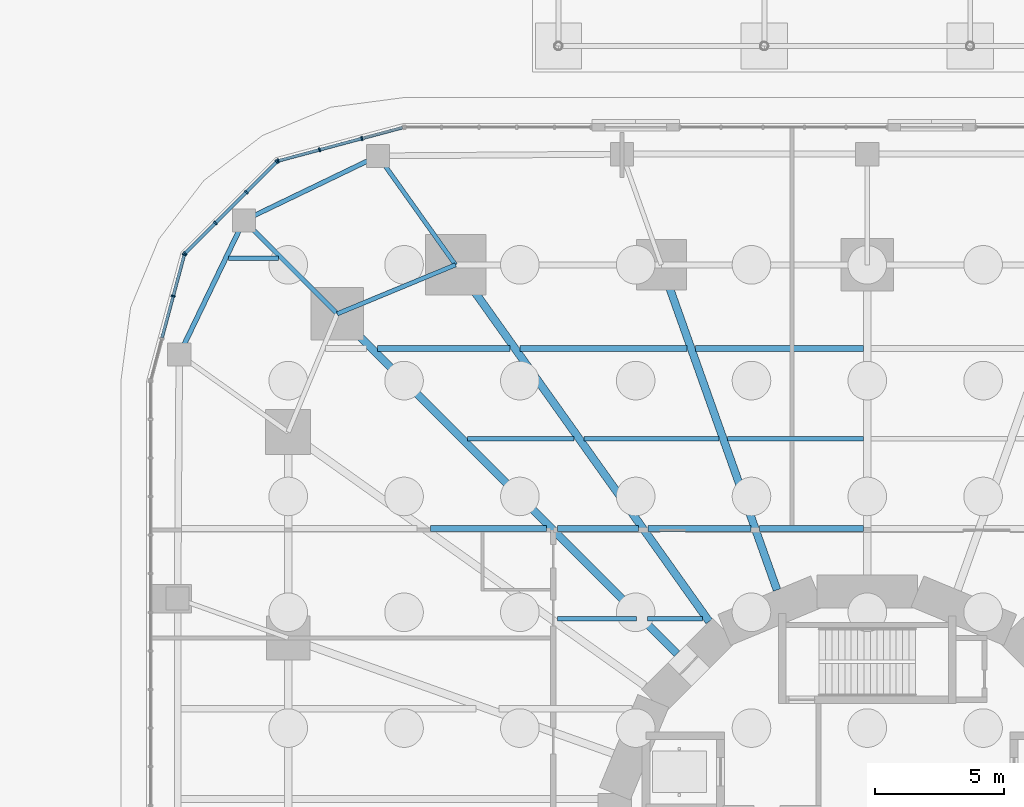
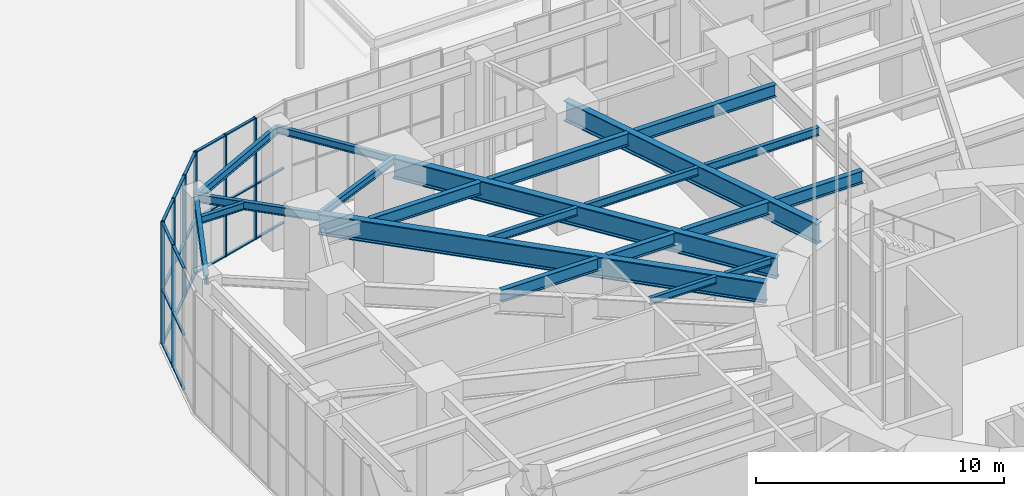
# One storey, part 13 of 43: 32 members, 21 beams, 3 elements without a shape of their own.
"""IFC4 building model written with IfcOpenShell, lengths in metres."""

import ifcopenshell
import ifcopenshell.guid

model = None  # the IFC model being written
_history = None  # IfcOwnerHistory: only IFC2X3 demands one
_inside = {}  # id of a spatial element -> (the spatial element, [elements in it])
_under = {}  # id of a project, library or spatial element -> (it, [spatial elements below it])
_declared = {}  # id of a project -> (the project, [libraries it declares])
_typed = {}  # id of a type object -> (the type object, [elements of that type])
_made_of = {}  # id of a material, layer set ... -> (it, [elements and type objects made of it])


def new_model(schema):
    """Start an empty IFC model of exactly this schema.

    Asked for "IFC4X3", IfcOpenShell would pick the latest addendum, in which some entities
    have other attributes; the version numbers below select the first issue.
    IFC2X3 requires an IfcOwnerHistory on every rooted entity: one is made here for all.
    """
    global model, _history
    if schema == "IFC4X3":
        model = ifcopenshell.file(schema_version=(4, 3, 0, 0))
    else:
        model = ifcopenshell.file(schema=schema)
    _inside.clear()
    _under.clear()
    _declared.clear()
    _typed.clear()
    _made_of.clear()
    _history = None
    if model.schema == "IFC2X3":
        org = make("IfcOrganization", Name="unknown")
        user = make(
            "IfcPersonAndOrganization",
            ThePerson=make("IfcPerson", FamilyName="unknown"),
            TheOrganization=org,
        )
        app = make(
            "IfcApplication",
            ApplicationDeveloper=org,
            Version="unknown",
            ApplicationFullName="unknown",
            ApplicationIdentifier="unknown",
        )
        _history = make(
            "IfcOwnerHistory",
            OwningUser=user,
            OwningApplication=app,
            ChangeAction="ADDED",
            CreationDate=0,
        )
    return model


def make(cls, **values):
    """One entity of the class cls with the attributes given. An attribute that is None is left unset."""
    return model.create_entity(
        cls, **{name: value for name, value in values.items() if value is not None}
    )


def rooted(cls, **values):
    """An entity with a GlobalId (a new one), such as an element, a storey or a relation."""
    return make(cls, GlobalId=ifcopenshell.guid.new(), OwnerHistory=_history, **values)


def si_unit(unit_type, name, prefix=None):
    """IfcSIUnit, for example si_unit("LENGTHUNIT", "METRE", prefix="MILLI")."""
    return make("IfcSIUnit", UnitType=unit_type, Prefix=prefix, Name=name)


def assignment(units):
    """IfcUnitAssignment: the units of a project."""
    return None if units is None else make("IfcUnitAssignment", Units=units)


def point(xyz):
    """IfcCartesianPoint."""
    return None if xyz is None else make("IfcCartesianPoint", Coordinates=xyz)


def direction(xyz):
    """IfcDirection."""
    return None if xyz is None else make("IfcDirection", DirectionRatios=xyz)


def frame(location, z_axis=None, x_axis=None):
    """IfcAxis2Placement3D, a coordinate frame: its origin and axes. An axis left out is left unset."""
    return make(
        "IfcAxis2Placement3D",
        Location=point(location),
        Axis=direction(z_axis),
        RefDirection=direction(x_axis),
    )


def frame_2d(location, x_axis=None):
    """IfcAxis2Placement2D, a coordinate frame in the plane: its origin and x axis."""
    return make(
        "IfcAxis2Placement2D", Location=point(location), RefDirection=direction(x_axis)
    )


def origin():
    """The frame at (0, 0, 0) with its axes left unset."""
    return frame((0.0, 0.0, 0.0))


def origin_2d():
    """The frame at (0, 0) in the plane with its x axis left unset."""
    return frame_2d((0.0, 0.0))


def place(relative_to, where):
    """IfcLocalPlacement: puts the frame where relative to a parent placement (None: the world)."""
    return make(
        "IfcLocalPlacement", PlacementRelTo=relative_to, RelativePlacement=where
    )


def context(
    kind, dimensions, precision=None, world=None, true_north=None, identifier=None
):
    """IfcGeometricRepresentationContext, for example the 3D "Model" context."""
    return make(
        "IfcGeometricRepresentationContext",
        ContextIdentifier=identifier,
        ContextType=kind,
        CoordinateSpaceDimension=dimensions,
        Precision=precision,
        WorldCoordinateSystem=world,
        TrueNorth=true_north,
    )


def subcontext(parent, identifier, kind, view, scale=None):
    """IfcGeometricRepresentationSubContext, for example "Body" below "Model"."""
    return make(
        "IfcGeometricRepresentationSubContext",
        ContextIdentifier=identifier,
        ContextType=kind,
        ParentContext=parent,
        TargetScale=scale,
        TargetView=view,
    )


def project(units=None, contexts=None):
    """IfcProject with its units and contexts."""
    return rooted(
        "IfcProject",
        Name="project",
        RepresentationContexts=contexts,
        UnitsInContext=assignment(units),
    )


def spatial(cls, under=None, at=None, **own):
    """A site, building, storey or space (cls), placed at a placement, below another one or the project."""
    s = rooted(cls, ObjectPlacement=at, **own)
    if under is not None:
        _under.setdefault(under.id(), (under, []))[1].append(s)
    return s


def profile(cls, at=None, kind="AREA", **sizes):
    """A parametric profile (cls). Its sizes go by their IFC names, for example OverallWidth=200.0."""
    return make(cls, ProfileType=kind, Position=at, **sizes)


def rectangle(**sizes):
    """IfcRectangleProfileDef."""
    return profile("IfcRectangleProfileDef", **sizes)


def i_section(**sizes):
    """IfcIShapeProfileDef."""
    return profile("IfcIShapeProfileDef", **sizes)


def extrude(swept, where, along, depth):
    """IfcExtrudedAreaSolid: the profile swept, set in the frame where, extruded along a direction by depth."""
    return make(
        "IfcExtrudedAreaSolid",
        SweptArea=swept,
        Position=where,
        ExtrudedDirection=direction(along),
        Depth=depth,
    )


def shape(context_of_items, identifier, shape_type, items):
    """IfcShapeRepresentation: the items that make up one representation, for example the "Body"."""
    return make(
        "IfcShapeRepresentation",
        ContextOfItems=context_of_items,
        RepresentationIdentifier=identifier,
        RepresentationType=shape_type,
        Items=items,
    )


def material(Name=None, Category=None):
    """IfcMaterial."""
    return make("IfcMaterial", Name=Name, Category=Category)


def material_profile(
    of_material, cross_section, Name=None, Category=None, Priority=None
):
    """IfcMaterialProfile: a cross section and its material."""
    return make(
        "IfcMaterialProfile",
        Name=Name,
        Material=of_material,
        Profile=cross_section,
        Priority=Priority,
        Category=Category,
    )


def profile_set(profiles, Name=None, composite=None):
    """IfcMaterialProfileSet."""
    return make(
        "IfcMaterialProfileSet",
        Name=Name,
        MaterialProfiles=profiles,
        CompositeProfile=composite,
    )


def made_of(thing, what):
    """Note that an element or type object is made of a material, layer set ...; save() writes the relation."""
    if what is not None:
        _made_of.setdefault(what.id(), (what, []))[1].append(thing)
    return thing


def type_object(cls, material=None, **own):
    """A type object (cls), such as IfcWallType, which elements share."""
    return made_of(rooted(cls, **own), material)


def element(
    cls,
    number,
    at=None,
    inside=None,
    cuts=None,
    type_object=None,
    material=None,
    context=None,
    identifier="Body",
    shape_type=None,
    held_by="IfcProductDefinitionShape",
    body=None,
    shapes=None,
    **own,
):
    """One element of the class cls, such as IfcWall. Its Tag is "e" and its number.

    at: its placement. inside: the storey or other place that contains it. cuts: it is an
    opening in that element (IfcRelVoidsElement). A single representation is given by context,
    identifier, shape_type and body (its items); several are given by shapes. held_by: the class
    of the entity that holds the representations. save() writes the other relations.
    """
    e = rooted(cls, Tag="e%d" % number, ObjectPlacement=at, **own)
    if body is not None:
        shapes = [shape(context, identifier, shape_type, body)]
    if shapes is not None:
        e.Representation = make(held_by, Representations=shapes)
    if inside is not None:
        _inside.setdefault(inside.id(), (inside, []))[1].append(e)
    if cuts is not None:
        rooted(
            "IfcRelVoidsElement", RelatingBuildingElement=cuts, RelatedOpeningElement=e
        )
    if type_object is not None:
        _typed.setdefault(type_object.id(), (type_object, []))[1].append(e)
    return made_of(e, material)


def aggregate(whole, parts):
    """IfcRelAggregates: a whole, such as a stair, and the parts it consists of."""
    return rooted("IfcRelAggregates", RelatingObject=whole, RelatedObjects=parts)


def save(model, path):
    """Write the relations noted so far, then the file.

    IfcRelAggregates (storeys below a building ...), IfcRelContainedInSpatialStructure (elements
    in a storey), IfcRelDefinesByType, IfcRelAssociatesMaterial and IfcRelDeclares: one each for
    every whole, place, type object, material and project.
    """
    for whole, parts in _under.values():
        aggregate(whole, parts)
    for where, things in _inside.values():
        rooted(
            "IfcRelContainedInSpatialStructure",
            RelatedElements=things,
            RelatingStructure=where,
        )
    for kind, things in _typed.values():
        rooted("IfcRelDefinesByType", RelatedObjects=things, RelatingType=kind)
    for what, things in _made_of.values():
        rooted("IfcRelAssociatesMaterial", RelatedObjects=things, RelatingMaterial=what)
    for by, libraries in _declared.values():
        rooted("IfcRelDeclares", RelatingContext=by, RelatedDefinitions=libraries)
    model.write(path)


model = new_model("IFC4")

# Units and contexts
model_context = context("Model", 3, precision=1e-05, world=origin(), true_north=direction((0.0, 1.0)))
body_context = subcontext(model_context, "Body", "Model", "MODEL_VIEW")
ifc_project = project(units=[si_unit("LENGTHUNIT", "METRE"), si_unit("AREAUNIT", "SQUARE_METRE"), si_unit("VOLUMEUNIT", "CUBIC_METRE"), si_unit("PLANEANGLEUNIT", "RADIAN"), si_unit("MASSUNIT", "GRAM", prefix="KILO")], contexts=[model_context])

# Site, building, storey
site_placement = place(None, origin())
site = spatial("IfcSite", under=ifc_project, at=site_placement, CompositionType="ELEMENT")
building_placement = place(site_placement, origin())
building = spatial("IfcBuilding", under=site, at=building_placement, Name="Nakasero Lantern House", CompositionType="ELEMENT")
storey_placement = place(building_placement, origin())
storey = spatial("IfcBuildingStorey", under=building, at=storey_placement, Name="L00", CompositionType="ELEMENT", Elevation=0.0)

# Beams
ifc_material_1 = material(Name="Steel S355", Category="steel")
ifc_material_profile_1 = material_profile(ifc_material_1, i_section(OverallWidth=0.17138671875, OverallDepth=0.35498046875, WebThickness=0.00732421875, FlangeThickness=0.011474609375, FilletRadius=0.01025390625, at=origin_2d()), Name="UB 356x171x51")
ifc_profile_set_1 = profile_set([ifc_material_profile_1], Name="Steel S355")
beam_type_1 = type_object("IfcBeamType", Name="Infill beam UB 356x171x51", PredefinedType="JOIST", material=ifc_profile_set_1)
beam_1_placement = place(storey_placement, frame((-12.043212890625, 8.75, 5.62255859375), z_axis=(1.0, 0.0, 0.0), x_axis=(0.0, 1.0, 0.0)))
element("IfcBeam", 1, at=beam_1_placement, inside=storey, type_object=beam_type_1, Name="Infill beam L01 11.1", PredefinedType="JOIST", context=body_context, shape_type="SweptSolid", body=[
    extrude(i_section(OverallWidth=0.17138671875, OverallDepth=0.35498046875, WebThickness=0.00732421875, FlangeThickness=0.011474609375, FilletRadius=0.01025390625, at=origin_2d()), origin(), (0.0, 0.0, 1.0), 3.0771484375),
])
beam_2_placement = place(storey_placement, frame((-8.533935546875, 8.75, 5.62255859375), z_axis=(1.0, 0.0, 0.0), x_axis=(0.0, 1.0, 0.0)))
element("IfcBeam", 2, at=beam_2_placement, inside=storey, type_object=beam_type_1, Name="Infill beam L01 11.2", PredefinedType="JOIST", context=body_context, shape_type="SweptSolid", body=[
    extrude(i_section(OverallWidth=0.17138671875, OverallDepth=0.35498046875, WebThickness=0.00732421875, FlangeThickness=0.011474609375, FilletRadius=0.01025390625, at=origin_2d()), origin(), (0.0, 0.0, 1.0), 2.124267578125),
])
beam_3_placement = place(storey_placement, frame((-24.82666015625, 22.75, 5.62255859375), z_axis=(1.0, 0.0, 0.0), x_axis=(0.0, 1.0, 0.0)))
element("IfcBeam", 3, at=beam_3_placement, inside=storey, type_object=beam_type_1, Name="Infill beam L01 15.1", PredefinedType="JOIST", context=body_context, shape_type="SweptSolid", body=[
    extrude(i_section(OverallWidth=0.17138671875, OverallDepth=0.35498046875, WebThickness=0.00732421875, FlangeThickness=0.011474609375, FilletRadius=0.01025390625, at=origin_2d()), origin(), (0.0, 0.0, 1.0), 1.950927734375),
])
ifc_material_2 = material(Name="Steel S355", Category="steel")
ifc_material_profile_2 = material_profile(ifc_material_2, i_section(OverallWidth=0.177978515625, OverallDepth=0.406494140625, WebThickness=0.0078125, FlangeThickness=0.0126953125, FilletRadius=0.01025390625, at=origin_2d()), Name="UB 406x178x60")
ifc_profile_set_2 = profile_set([ifc_material_profile_2], Name="Steel S355")
beam_type_2 = type_object("IfcBeamType", Name="Infill beam UB 406x178x60", PredefinedType="JOIST", material=ifc_profile_set_2)
beam_4_placement = place(storey_placement, frame((-15.533935546875, 15.75, 5.5966796875), z_axis=(1.0, 0.0, 0.0), x_axis=(0.0, 1.0, 0.0)))
element("IfcBeam", 4, at=beam_4_placement, inside=storey, type_object=beam_type_2, Name="Infill beam L01 13.1", PredefinedType="JOIST", context=body_context, shape_type="SweptSolid", body=[
    extrude(i_section(OverallWidth=0.177978515625, OverallDepth=0.406494140625, WebThickness=0.0078125, FlangeThickness=0.0126953125, FilletRadius=0.01025390625, at=origin_2d()), origin(), (0.0, 0.0, 1.0), 4.146484375),
])
beam_5_placement = place(storey_placement, frame((-11.0126953125, 15.75, 5.5966796875), z_axis=(1.0, 0.0, 0.0), x_axis=(0.0, 1.0, 0.0)))
element("IfcBeam", 5, at=beam_5_placement, inside=storey, type_object=beam_type_2, Name="Infill beam L01 13.2", PredefinedType="JOIST", context=body_context, shape_type="SweptSolid", body=[
    extrude(i_section(OverallWidth=0.177978515625, OverallDepth=0.406494140625, WebThickness=0.0078125, FlangeThickness=0.0126953125, FilletRadius=0.01025390625, at=origin_2d()), origin(), (0.0, 0.0, 1.0), 5.25244140625),
])
beam_6_placement = place(storey_placement, frame((-5.439697265625, 15.75, 5.5966796875), z_axis=(1.0, 0.0, 0.0), x_axis=(0.0, 1.0, 0.0)))
element("IfcBeam", 6, at=beam_6_placement, inside=storey, type_object=beam_type_2, Name="Infill beam L01 13.3", PredefinedType="JOIST", context=body_context, shape_type="SweptSolid", body=[
    extrude(i_section(OverallWidth=0.177978515625, OverallDepth=0.406494140625, WebThickness=0.0078125, FlangeThickness=0.0126953125, FilletRadius=0.01025390625, at=origin_2d()), origin(), (0.0, 0.0, 1.0), 5.289794921875),
])
ifc_material_3 = material(Name="Steel S355", Category="steel")
ifc_material_profile_3 = material_profile(ifc_material_3, i_section(OverallWidth=0.22900390625, OverallDepth=0.6123046875, WebThickness=0.011962890625, FlangeThickness=0.01953125, FilletRadius=0.0126953125, at=origin_2d()), Name="UB 610x229x125")
ifc_profile_set_3 = profile_set([ifc_material_profile_3], Name="Steel S355")
beam_type_3 = type_object("IfcBeamType", Name="Infill beam UB 610x229x125", PredefinedType="JOIST", material=ifc_profile_set_3)
beam_7_placement = place(storey_placement, frame((-16.965087890625, 12.25, 5.493896484375), z_axis=(1.0, 0.0, 0.0), x_axis=(0.0, 1.0, 0.0)))
element("IfcBeam", 7, at=beam_7_placement, inside=storey, type_object=beam_type_3, Name="Infill beam L01 12.3", PredefinedType="JOIST", context=body_context, shape_type="SweptSolid", body=[
    extrude(i_section(OverallWidth=0.22900390625, OverallDepth=0.6123046875, WebThickness=0.011962890625, FlangeThickness=0.01953125, FilletRadius=0.0126953125, at=origin_2d()), origin(), (0.0, 0.0, 1.0), 4.4990234375),
])
beam_8_placement = place(storey_placement, frame((-12.033935546875, 12.25, 5.493896484375), z_axis=(1.0, 0.0, 0.0), x_axis=(0.0, 1.0, 0.0)))
element("IfcBeam", 8, at=beam_8_placement, inside=storey, type_object=beam_type_3, Name="Infill beam L01 12.4", PredefinedType="JOIST", context=body_context, shape_type="SweptSolid", body=[
    extrude(i_section(OverallWidth=0.22900390625, OverallDepth=0.6123046875, WebThickness=0.011962890625, FlangeThickness=0.01953125, FilletRadius=0.0126953125, at=origin_2d()), origin(), (0.0, 0.0, 1.0), 3.135498046875),
])
beam_9_placement = place(storey_placement, frame((-8.523681640625, 12.25, 5.493896484375), z_axis=(1.0, 0.0, 0.0), x_axis=(0.0, 1.0, 0.0)))
element("IfcBeam", 9, at=beam_9_placement, inside=storey, type_object=beam_type_3, Name="Infill beam L01 12.5", PredefinedType="JOIST", context=body_context, shape_type="SweptSolid", body=[
    extrude(i_section(OverallWidth=0.22900390625, OverallDepth=0.6123046875, WebThickness=0.011962890625, FlangeThickness=0.01953125, FilletRadius=0.0126953125, at=origin_2d()), origin(), (0.0, 0.0, 1.0), 4.0078125),
])
beam_10_placement = place(storey_placement, frame((-4.1953125, 12.25, 5.493896484375), z_axis=(1.0, 0.0, 0.0), x_axis=(0.0, 1.0, 0.0)))
element("IfcBeam", 10, at=beam_10_placement, inside=storey, type_object=beam_type_3, Name="Infill beam L01 12.6", PredefinedType="JOIST", context=body_context, shape_type="SweptSolid", body=[
    extrude(i_section(OverallWidth=0.22900390625, OverallDepth=0.6123046875, WebThickness=0.011962890625, FlangeThickness=0.01953125, FilletRadius=0.0126953125, at=origin_2d()), origin(), (0.0, 0.0, 1.0), 4.04541015625),
])
beam_11_placement = place(storey_placement, frame((-19.033935546875, 19.25, 5.493896484375), z_axis=(1.0, 0.0, 0.0), x_axis=(0.0, 1.0, 0.0)))
element("IfcBeam", 11, at=beam_11_placement, inside=storey, type_object=beam_type_3, Name="Infill beam L01 14.2", PredefinedType="JOIST", context=body_context, shape_type="SweptSolid", body=[
    extrude(i_section(OverallWidth=0.22900390625, OverallDepth=0.6123046875, WebThickness=0.011962890625, FlangeThickness=0.01953125, FilletRadius=0.0126953125, at=origin_2d()), origin(), (0.0, 0.0, 1.0), 5.15771484375),
])
beam_12_placement = place(storey_placement, frame((-13.50146484375, 19.25, 5.493896484375), z_axis=(1.0, 0.0, 0.0), x_axis=(0.0, 1.0, 0.0)))
element("IfcBeam", 12, at=beam_12_placement, inside=storey, type_object=beam_type_3, Name="Infill beam L01 14.3", PredefinedType="JOIST", context=body_context, shape_type="SweptSolid", body=[
    extrude(i_section(OverallWidth=0.22900390625, OverallDepth=0.6123046875, WebThickness=0.011962890625, FlangeThickness=0.01953125, FilletRadius=0.0126953125, at=origin_2d()), origin(), (0.0, 0.0, 1.0), 6.496826171875),
])
beam_13_placement = place(storey_placement, frame((-6.68408203125, 19.25, 5.493896484375), z_axis=(1.0, 0.0, 0.0), x_axis=(0.0, 1.0, 0.0)))
element("IfcBeam", 13, at=beam_13_placement, inside=storey, type_object=beam_type_3, Name="Infill beam L01 14.4", PredefinedType="JOIST", context=body_context, shape_type="SweptSolid", body=[
    extrude(i_section(OverallWidth=0.22900390625, OverallDepth=0.6123046875, WebThickness=0.011962890625, FlangeThickness=0.01953125, FilletRadius=0.0126953125, at=origin_2d()), origin(), (0.0, 0.0, 1.0), 6.5341796875),
])

# Curtain wall, members
ifc_material_4 = material(Name="Aluminium 6063-T6 and glass", Category="aluminium")
curtain_wall_type = type_object("IfcCurtainWallType", Name="Podium shopfront glazing CW-1", PredefinedType="USERDEFINED", material=ifc_material_4)
curtain_wall_1_placement = place(storey_placement, origin())
curtain_wall_1 = element("IfcCurtainWall", 14, at=curtain_wall_1_placement, inside=storey, type_object=curtain_wall_type, Name="Curtain wall CW-1 L00", ObjectType="STICK CURTAIN WALL", PredefinedType="USERDEFINED")
ifc_material_5 = material(Name="Aluminium 6063-T6", Category="aluminium")
ifc_material_profile_4 = material_profile(ifc_material_5, rectangle(XDim=0.06005859375, YDim=0.159912109375, at=origin_2d()), Name="CW-1 mullion 60x160")
ifc_profile_set_4 = profile_set([ifc_material_profile_4], Name="Aluminium 6063-T6")
member_type_1 = type_object("IfcMemberType", Name="Mullion CW-1", PredefinedType="MULLION", material=ifc_profile_set_4)
member_1_placement = place(storey_placement, frame((-19.6416015625, 27.41015625, 0.0), z_axis=(0.0, 0.0, 1.0), x_axis=(-0.965925826289, -0.258819045103, 0.0)))
member_1 = element("IfcMember", 15, at=member_1_placement, type_object=member_type_1, Name="CW-1 mullion 2", PredefinedType="MULLION", context=body_context, shape_type="SweptSolid", body=[
    extrude(rectangle(XDim=0.06005859375, YDim=0.159912109375, at=origin_2d()), origin(), (0.0, 0.0, 1.0), 6.0),
])
member_2_placement = place(storey_placement, frame((-21.283447265625, 26.97021484375, 0.0), z_axis=(0.0, 0.0, 1.0), x_axis=(-0.965925826289, -0.258819045103, 0.0)))
member_2 = element("IfcMember", 16, at=member_2_placement, type_object=member_type_1, Name="CW-1 mullion 3", PredefinedType="MULLION", context=body_context, shape_type="SweptSolid", body=[
    extrude(rectangle(XDim=0.06005859375, YDim=0.159912109375, at=origin_2d()), origin(), (0.0, 0.0, 1.0), 6.0),
])
member_3_placement = place(storey_placement, frame((-22.89599609375, 26.5380859375, 0.0), z_axis=(0.0, 0.0, 1.0), x_axis=(-0.965925826289, -0.258819045103, 0.0)))
member_3 = element("IfcMember", 17, at=member_3_placement, type_object=member_type_1, Name="CW-1 mullion 4", PredefinedType="MULLION", context=body_context, shape_type="SweptSolid", body=[
    extrude(rectangle(XDim=0.06005859375, YDim=0.159912109375, at=origin_2d()), origin(), (0.0, 0.0, 1.0), 6.0),
])

curtain_wall_2_placement = place(storey_placement, origin())
curtain_wall_2 = element("IfcCurtainWall", 18, at=curtain_wall_2_placement, inside=storey, type_object=curtain_wall_type, Name="Curtain wall CW-1 L00", ObjectType="STICK CURTAIN WALL", PredefinedType="USERDEFINED")
member_4_placement = place(storey_placement, frame((-22.9462890625, 26.509033203125, 0.0), z_axis=(0.0, 0.0, 1.0), x_axis=(-0.707106781187, -0.707106781187, 0.0)))
member_4 = element("IfcMember", 19, at=member_4_placement, type_object=member_type_1, Name="CW-1 mullion 1", PredefinedType="MULLION", context=body_context, shape_type="SweptSolid", body=[
    extrude(rectangle(XDim=0.06005859375, YDim=0.159912109375, at=origin_2d()), origin(), (0.0, 0.0, 1.0), 6.0),
])
member_5_placement = place(storey_placement, frame((-24.126708984375, 25.32861328125, 0.0), z_axis=(0.0, 0.0, 1.0), x_axis=(-0.707106781187, -0.707106781187, 0.0)))
member_5 = element("IfcMember", 20, at=member_5_placement, type_object=member_type_1, Name="CW-1 mullion 2", PredefinedType="MULLION", context=body_context, shape_type="SweptSolid", body=[
    extrude(rectangle(XDim=0.06005859375, YDim=0.159912109375, at=origin_2d()), origin(), (0.0, 0.0, 1.0), 6.0),
])
member_6_placement = place(storey_placement, frame((-25.32861328125, 24.126708984375, 0.0), z_axis=(0.0, 0.0, 1.0), x_axis=(-0.707106781187, -0.707106781187, 0.0)))
member_6 = element("IfcMember", 21, at=member_6_placement, type_object=member_type_1, Name="CW-1 mullion 3", PredefinedType="MULLION", context=body_context, shape_type="SweptSolid", body=[
    extrude(rectangle(XDim=0.06005859375, YDim=0.159912109375, at=origin_2d()), origin(), (0.0, 0.0, 1.0), 6.0),
])
member_7_placement = place(storey_placement, frame((-26.509033203125, 22.9462890625, 0.0), z_axis=(0.0, 0.0, 1.0), x_axis=(-0.707106781187, -0.707106781187, 0.0)))
member_7 = element("IfcMember", 22, at=member_7_placement, type_object=member_type_1, Name="CW-1 mullion 4", PredefinedType="MULLION", context=body_context, shape_type="SweptSolid", body=[
    extrude(rectangle(XDim=0.06005859375, YDim=0.159912109375, at=origin_2d()), origin(), (0.0, 0.0, 1.0), 6.0),
])

curtain_wall_3_placement = place(storey_placement, origin())
curtain_wall_3 = element("IfcCurtainWall", 23, at=curtain_wall_3_placement, inside=storey, type_object=curtain_wall_type, Name="Curtain wall CW-1 L00", ObjectType="STICK CURTAIN WALL", PredefinedType="USERDEFINED")
member_8_placement = place(storey_placement, frame((-26.5380859375, 22.89599609375, 0.0), z_axis=(0.0, 0.0, 1.0), x_axis=(-0.258819045103, -0.965925826289, 0.0)))
member_8 = element("IfcMember", 24, at=member_8_placement, type_object=member_type_1, Name="CW-1 mullion 1", PredefinedType="MULLION", context=body_context, shape_type="SweptSolid", body=[
    extrude(rectangle(XDim=0.06005859375, YDim=0.159912109375, at=origin_2d()), origin(), (0.0, 0.0, 1.0), 6.0),
])
member_9_placement = place(storey_placement, frame((-26.97021484375, 21.283447265625, 0.0), z_axis=(0.0, 0.0, 1.0), x_axis=(-0.258819045103, -0.965925826289, 0.0)))
member_9 = element("IfcMember", 25, at=member_9_placement, type_object=member_type_1, Name="CW-1 mullion 2", PredefinedType="MULLION", context=body_context, shape_type="SweptSolid", body=[
    extrude(rectangle(XDim=0.06005859375, YDim=0.159912109375, at=origin_2d()), origin(), (0.0, 0.0, 1.0), 6.0),
])

# Beams
ifc_material_6 = material(Name="Steel S355", Category="steel")
ifc_material_profile_5 = material_profile(ifc_material_6, i_section(OverallWidth=0.302001953125, OverallDepth=1.008056640625, WebThickness=0.02099609375, FlangeThickness=0.0400390625, FilletRadius=0.030029296875, at=origin_2d()), Name="UB 1016x305x349")
ifc_profile_set_5 = profile_set([ifc_material_profile_5], Name="Steel S355")
beam_type_4 = type_object("IfcBeamType", Name="Primary beam UB 1016x305x349, span 12 to 15 m", PredefinedType="BEAM", material=ifc_profile_set_5)
beam_14_placement = place(storey_placement, frame((-8.0, 22.5, 5.2958984375), z_axis=(0.335010745293, -0.942214307118, 0.0), x_axis=(0.942214307118, 0.335010745293, 0.0)))
element("IfcBeam", 26, at=beam_14_placement, inside=storey, type_object=beam_type_4, Name="Primary beam L01 B1-C10", PredefinedType="BEAM", context=body_context, shape_type="SweptSolid", body=[
    extrude(i_section(OverallWidth=0.302001953125, OverallDepth=1.008056640625, WebThickness=0.02099609375, FlangeThickness=0.0400390625, FilletRadius=0.030029296875, at=origin_2d()), origin(), (0.0, 0.0, 1.0), 13.408447265625),
])
ifc_material_7 = material(Name="Steel S355", Category="steel")
ifc_material_profile_6 = material_profile(ifc_material_7, i_section(OverallWidth=0.305419921875, OverallDepth=1.026123046875, WebThickness=0.02685546875, FlangeThickness=0.049072265625, FilletRadius=0.030029296875, at=origin_2d()), Name="UB 1016x305x437")
ifc_profile_set_6 = profile_set([ifc_material_profile_6], Name="Steel S355")
beam_type_5 = type_object("IfcBeamType", Name="Primary beam UB 1016x305x437, span over 15 m", PredefinedType="BEAM", material=ifc_profile_set_6)
beam_15_placement = place(storey_placement, frame((-16.0, 22.5, 5.286865234375), z_axis=(0.579528236629, -0.814952159915, 0.0), x_axis=(0.814952159915, 0.579528236629, 0.0)))
element("IfcBeam", 27, at=beam_15_placement, inside=storey, type_object=beam_type_5, Name="Primary beam L01 B1-C11", PredefinedType="BEAM", context=body_context, shape_type="SweptSolid", body=[
    extrude(i_section(OverallWidth=0.305419921875, OverallDepth=1.026123046875, WebThickness=0.02685546875, FlangeThickness=0.049072265625, FilletRadius=0.030029296875, at=origin_2d()), origin(), (0.0, 0.0, 1.0), 17.003173828125),
])
beam_16_placement = place(storey_placement, frame((-20.59619140625, 20.59619140625, 5.286865234375), z_axis=(0.707106781187, -0.707106781187, 0.0), x_axis=(0.707106781187, 0.707106781187, 0.0)))
element("IfcBeam", 28, at=beam_16_placement, inside=storey, type_object=beam_type_5, Name="Primary beam L01 B1-C12", PredefinedType="BEAM", context=body_context, shape_type="SweptSolid", body=[
    extrude(i_section(OverallWidth=0.305419921875, OverallDepth=1.026123046875, WebThickness=0.02685546875, FlangeThickness=0.049072265625, FilletRadius=0.030029296875, at=origin_2d()), origin(), (0.0, 0.0, 1.0), 18.669677734375),
])
ifc_material_8 = material(Name="Steel S355", Category="steel")
ifc_material_profile_7 = material_profile(ifc_material_8, i_section(OverallWidth=0.17138671875, OverallDepth=0.35498046875, WebThickness=0.00732421875, FlangeThickness=0.011474609375, FilletRadius=0.01025390625, at=origin_2d()), Name="UB 356x171x51")
ifc_profile_set_7 = profile_set([ifc_material_profile_7], Name="Steel S355")
beam_type_6 = type_object("IfcBeamType", Name="Primary beam UB 356x171x51, span to 6 m", PredefinedType="BEAM", material=ifc_profile_set_7)
beam_17_placement = place(storey_placement, frame((-19.0107421875, 26.733642578125, 5.62255859375), z_axis=(0.57954320692, -0.814941514044, 0.0), x_axis=(0.814941514044, 0.57954320692, 0.0)))
element("IfcBeam", 29, at=beam_17_placement, inside=storey, type_object=beam_type_6, Name="Primary beam L01 POD-C11", PredefinedType="BEAM", context=body_context, shape_type="SweptSolid", body=[
    extrude(i_section(OverallWidth=0.17138671875, OverallDepth=0.35498046875, WebThickness=0.00732421875, FlangeThickness=0.011474609375, FilletRadius=0.01025390625, at=origin_2d()), origin(), (0.0, 0.0, 1.0), 5.195068359375),
])
ifc_material_9 = material(Name="Steel S355", Category="steel")
ifc_material_profile_8 = material_profile(ifc_material_9, i_section(OverallWidth=0.177978515625, OverallDepth=0.406494140625, WebThickness=0.0078125, FlangeThickness=0.0126953125, FilletRadius=0.01025390625, at=origin_2d()), Name="UB 406x178x60")
ifc_profile_set_8 = profile_set([ifc_material_profile_8], Name="Steel S355")
beam_type_7 = type_object("IfcBeamType", Name="Primary beam UB 406x178x60, span to 6 m", PredefinedType="BEAM", material=ifc_profile_set_8)
beam_18_placement = place(storey_placement, frame((-24.22265625, 24.22265625, 5.5966796875), z_axis=(0.707106781187, -0.707106781187, 0.0), x_axis=(0.707106781187, 0.707106781187, 0.0)))
element("IfcBeam", 30, at=beam_18_placement, inside=storey, type_object=beam_type_7, Name="Primary beam L01 POD-C12", PredefinedType="BEAM", context=body_context, shape_type="SweptSolid", body=[
    extrude(i_section(OverallWidth=0.177978515625, OverallDepth=0.406494140625, WebThickness=0.0078125, FlangeThickness=0.0126953125, FilletRadius=0.01025390625, at=origin_2d()), origin(), (0.0, 0.0, 1.0), 5.128662109375),
])
ifc_material_10 = material(Name="Steel S355", Category="steel")
ifc_material_profile_9 = material_profile(ifc_material_10, i_section(OverallWidth=0.17138671875, OverallDepth=0.35498046875, WebThickness=0.00732421875, FlangeThickness=0.011474609375, FilletRadius=0.01025390625, at=origin_2d()), Name="UB 356x171x51")
ifc_profile_set_9 = profile_set([ifc_material_profile_9], Name="Steel S355")
beam_type_8 = type_object("IfcBeamType", Name="Ring beam UB 356x171x51", PredefinedType="BEAM", material=ifc_profile_set_9)
beam_19_placement = place(storey_placement, frame((-16.0, 22.5, 5.62255859375), z_axis=(-0.923879264016, -0.382684080569, 0.0), x_axis=(0.382684080569, -0.923879264016, 0.0)))
element("IfcBeam", 31, at=beam_19_placement, inside=storey, type_object=beam_type_8, Name="Ring beam L01 B1-C11", PredefinedType="BEAM", context=body_context, shape_type="SweptSolid", body=[
    extrude(i_section(OverallWidth=0.17138671875, OverallDepth=0.35498046875, WebThickness=0.00732421875, FlangeThickness=0.011474609375, FilletRadius=0.01025390625, at=origin_2d()), origin(), (0.0, 0.0, 1.0), 4.974853515625),
])
ifc_material_11 = material(Name="Steel S355", Category="steel")
ifc_material_profile_10 = material_profile(ifc_material_11, i_section(OverallWidth=0.177978515625, OverallDepth=0.406494140625, WebThickness=0.0078125, FlangeThickness=0.0126953125, FilletRadius=0.01025390625, at=origin_2d()), Name="UB 406x178x60")
ifc_profile_set_10 = profile_set([ifc_material_profile_10], Name="Steel S355")
beam_type_9 = type_object("IfcBeamType", Name="Ring beam UB 406x178x60", PredefinedType="BEAM", material=ifc_profile_set_10)
beam_20_placement = place(storey_placement, frame((-19.0107421875, 26.733642578125, 5.5966796875), z_axis=(-0.900897176145, -0.434032577134, 0.0), x_axis=(0.434032577134, -0.900897176145, 0.0)))
element("IfcBeam", 32, at=beam_20_placement, inside=storey, type_object=beam_type_9, Name="Ring beam L01 POD-C11", PredefinedType="BEAM", context=body_context, shape_type="SweptSolid", body=[
    extrude(i_section(OverallWidth=0.177978515625, OverallDepth=0.406494140625, WebThickness=0.0078125, FlangeThickness=0.0126953125, FilletRadius=0.01025390625, at=origin_2d()), origin(), (0.0, 0.0, 1.0), 5.78515625),
])
ifc_material_12 = material(Name="Steel S355", Category="steel")
ifc_material_profile_11 = material_profile(ifc_material_12, i_section(OverallWidth=0.18994140625, OverallDepth=0.453369140625, WebThickness=0.008544921875, FlangeThickness=0.0126953125, FilletRadius=0.01025390625, at=origin_2d()), Name="UB 457x191x67")
ifc_profile_set_11 = profile_set([ifc_material_profile_11], Name="Steel S355")
beam_type_10 = type_object("IfcBeamType", Name="Ring beam UB 457x191x67", PredefinedType="BEAM", material=ifc_profile_set_11)
beam_21_placement = place(storey_placement, frame((-24.22265625, 24.22265625, 5.5732421875), z_axis=(-0.434032577134, -0.900897176145, 0.0), x_axis=(0.900897176145, -0.434032577134, 0.0)))
element("IfcBeam", 33, at=beam_21_placement, inside=storey, type_object=beam_type_10, Name="Ring beam L01 POD-C12", PredefinedType="BEAM", context=body_context, shape_type="SweptSolid", body=[
    extrude(i_section(OverallWidth=0.18994140625, OverallDepth=0.453369140625, WebThickness=0.008544921875, FlangeThickness=0.0126953125, FilletRadius=0.01025390625, at=origin_2d()), origin(), (0.0, 0.0, 1.0), 5.78515625),
])

# Member
ifc_material_13 = material(Name="Aluminium 6063-T6", Category="aluminium")
ifc_material_profile_12 = material_profile(ifc_material_13, rectangle(XDim=0.06005859375, YDim=0.1201171875, at=origin_2d()), Name="CW-1 transom 60x120")
ifc_profile_set_12 = profile_set([ifc_material_profile_12], Name="Aluminium 6063-T6")
member_type_2 = type_object("IfcMemberType", Name="Transom CW-1", PredefinedType="USERDEFINED", material=ifc_profile_set_12)
member_10_placement = place(storey_placement, frame((-18.057861328125, 27.83447265625, 0.030029296875), z_axis=(-0.96594737463, -0.258738612203, 0.0), x_axis=(0.0, 0.0, 1.0)))
member_10 = element("IfcMember", 34, at=member_10_placement, type_object=member_type_2, Name="CW-1 transom 1.1", ObjectType="TRANSOM", PredefinedType="USERDEFINED", context=body_context, shape_type="SweptSolid", body=[
    extrude(rectangle(XDim=0.06005859375, YDim=0.1201171875, at=origin_2d()), origin(), (0.0, 0.0, 1.0), 1.60986328125),
])

member_11_placement = place(storey_placement, frame((-18.057861328125, 27.83447265625, 2.699951171875), z_axis=(-0.96594737463, -0.258738612203, 0.0), x_axis=(0.0, 0.0, 1.0)))
member_11 = element("IfcMember", 35, at=member_11_placement, type_object=member_type_2, Name="CW-1 transom 1.2", ObjectType="TRANSOM", PredefinedType="USERDEFINED", context=body_context, shape_type="SweptSolid", body=[
    extrude(rectangle(XDim=0.06005859375, YDim=0.1201171875, at=origin_2d()), origin(), (0.0, 0.0, 1.0), 1.60986328125),
])

member_12_placement = place(storey_placement, frame((-19.670654296875, 27.40234375, 0.030029296875), z_axis=(-0.965932765235, -0.258793147214, 0.0), x_axis=(0.0, 0.0, 1.0)))
member_12 = element("IfcMember", 36, at=member_12_placement, type_object=member_type_2, Name="CW-1 transom 2.1", ObjectType="TRANSOM", PredefinedType="USERDEFINED", context=body_context, shape_type="SweptSolid", body=[
    extrude(rectangle(XDim=0.06005859375, YDim=0.1201171875, at=origin_2d()), origin(), (0.0, 0.0, 1.0), 1.6396484375),
])

member_13_placement = place(storey_placement, frame((-19.670654296875, 27.40234375, 2.699951171875), z_axis=(-0.965932765235, -0.258793147214, 0.0), x_axis=(0.0, 0.0, 1.0)))
member_13 = element("IfcMember", 37, at=member_13_placement, type_object=member_type_2, Name="CW-1 transom 2.2", ObjectType="TRANSOM", PredefinedType="USERDEFINED", context=body_context, shape_type="SweptSolid", body=[
    extrude(rectangle(XDim=0.06005859375, YDim=0.1201171875, at=origin_2d()), origin(), (0.0, 0.0, 1.0), 1.6396484375),
])

member_14_placement = place(storey_placement, frame((-19.670654296875, 27.40234375, 5.969970703125), z_axis=(-0.965932765235, -0.258793147214, 0.0), x_axis=(0.0, 0.0, 1.0)))
member_14 = element("IfcMember", 38, at=member_14_placement, type_object=member_type_2, Name="CW-1 transom 2.3", ObjectType="TRANSOM", PredefinedType="USERDEFINED", context=body_context, shape_type="SweptSolid", body=[
    extrude(rectangle(XDim=0.06005859375, YDim=0.1201171875, at=origin_2d()), origin(), (0.0, 0.0, 1.0), 1.6396484375),
])

member_15_placement = place(storey_placement, frame((-21.312255859375, 26.96240234375, 0.030029296875), z_axis=(-0.965937219158, -0.258776522595, 0.0), x_axis=(0.0, 0.0, 1.0)))
member_15 = element("IfcMember", 39, at=member_15_placement, type_object=member_type_2, Name="CW-1 transom 3.1", ObjectType="TRANSOM", PredefinedType="USERDEFINED", context=body_context, shape_type="SweptSolid", body=[
    extrude(rectangle(XDim=0.06005859375, YDim=0.1201171875, at=origin_2d()), origin(), (0.0, 0.0, 1.0), 1.609619140625),
])

member_16_placement = place(storey_placement, frame((-21.312255859375, 26.96240234375, 2.699951171875), z_axis=(-0.965937219158, -0.258776522595, 0.0), x_axis=(0.0, 0.0, 1.0)))
member_16 = element("IfcMember", 40, at=member_16_placement, type_object=member_type_2, Name="CW-1 transom 3.2", ObjectType="TRANSOM", PredefinedType="USERDEFINED", context=body_context, shape_type="SweptSolid", body=[
    extrude(rectangle(XDim=0.06005859375, YDim=0.1201171875, at=origin_2d()), origin(), (0.0, 0.0, 1.0), 1.609619140625),
])

member_17_placement = place(storey_placement, frame((-21.312255859375, 26.96240234375, 5.969970703125), z_axis=(-0.965937219158, -0.258776522595, 0.0), x_axis=(0.0, 0.0, 1.0)))
member_17 = element("IfcMember", 41, at=member_17_placement, type_object=member_type_2, Name="CW-1 transom 3.3", ObjectType="TRANSOM", PredefinedType="USERDEFINED", context=body_context, shape_type="SweptSolid", body=[
    extrude(rectangle(XDim=0.06005859375, YDim=0.1201171875, at=origin_2d()), origin(), (0.0, 0.0, 1.0), 1.609619140625),
])

aggregate(curtain_wall_1, [member_1, member_2, member_3, member_10, member_11, member_12, member_13, member_14, member_15, member_16, member_17])

member_18_placement = place(storey_placement, frame((-22.967529296875, 26.488037109375, 0.030029296875), z_axis=(-0.707030931707, -0.707182622531, 0.0), x_axis=(0.0, 0.0, 1.0)))
member_18 = element("IfcMember", 42, at=member_18_placement, type_object=member_type_2, Name="CW-1 transom 1.1", ObjectType="TRANSOM", PredefinedType="USERDEFINED", context=body_context, shape_type="SweptSolid", body=[
    extrude(rectangle(XDim=0.06005859375, YDim=0.1201171875, at=origin_2d()), origin(), (0.0, 0.0, 1.0), 1.609375),
])

member_19_placement = place(storey_placement, frame((-22.967529296875, 26.488037109375, 2.699951171875), z_axis=(-0.707030931707, -0.707182622531, 0.0), x_axis=(0.0, 0.0, 1.0)))
member_19 = element("IfcMember", 43, at=member_19_placement, type_object=member_type_2, Name="CW-1 transom 1.2", ObjectType="TRANSOM", PredefinedType="USERDEFINED", context=body_context, shape_type="SweptSolid", body=[
    extrude(rectangle(XDim=0.06005859375, YDim=0.1201171875, at=origin_2d()), origin(), (0.0, 0.0, 1.0), 1.609375),
])

member_20_placement = place(storey_placement, frame((-22.967529296875, 26.488037109375, 5.969970703125), z_axis=(-0.707030931707, -0.707182622531, 0.0), x_axis=(0.0, 0.0, 1.0)))
member_20 = element("IfcMember", 44, at=member_20_placement, type_object=member_type_2, Name="CW-1 transom 1.3", ObjectType="TRANSOM", PredefinedType="USERDEFINED", context=body_context, shape_type="SweptSolid", body=[
    extrude(rectangle(XDim=0.06005859375, YDim=0.1201171875, at=origin_2d()), origin(), (0.0, 0.0, 1.0), 1.609375),
])

member_21_placement = place(storey_placement, frame((-24.14794921875, 25.307373046875, 0.030029296875), z_axis=(-0.707106781187, -0.707106781187, 0.0), x_axis=(0.0, 0.0, 1.0)))
member_21 = element("IfcMember", 45, at=member_21_placement, type_object=member_type_2, Name="CW-1 transom 2.1", ObjectType="TRANSOM", PredefinedType="USERDEFINED", context=body_context, shape_type="SweptSolid", body=[
    extrude(rectangle(XDim=0.06005859375, YDim=0.1201171875, at=origin_2d()), origin(), (0.0, 0.0, 1.0), 1.6396484375),
])

member_22_placement = place(storey_placement, frame((-24.14794921875, 25.307373046875, 2.699951171875), z_axis=(-0.707106781187, -0.707106781187, 0.0), x_axis=(0.0, 0.0, 1.0)))
member_22 = element("IfcMember", 46, at=member_22_placement, type_object=member_type_2, Name="CW-1 transom 2.2", ObjectType="TRANSOM", PredefinedType="USERDEFINED", context=body_context, shape_type="SweptSolid", body=[
    extrude(rectangle(XDim=0.06005859375, YDim=0.1201171875, at=origin_2d()), origin(), (0.0, 0.0, 1.0), 1.6396484375),
])

member_23_placement = place(storey_placement, frame((-24.14794921875, 25.307373046875, 5.969970703125), z_axis=(-0.707106781187, -0.707106781187, 0.0), x_axis=(0.0, 0.0, 1.0)))
member_23 = element("IfcMember", 47, at=member_23_placement, type_object=member_type_2, Name="CW-1 transom 2.3", ObjectType="TRANSOM", PredefinedType="USERDEFINED", context=body_context, shape_type="SweptSolid", body=[
    extrude(rectangle(XDim=0.06005859375, YDim=0.1201171875, at=origin_2d()), origin(), (0.0, 0.0, 1.0), 1.6396484375),
])

member_24_placement = place(storey_placement, frame((-25.349853515625, 24.10546875, 0.030029296875), z_axis=(-0.707182622531, -0.707030931707, 0.0), x_axis=(0.0, 0.0, 1.0)))
member_24 = element("IfcMember", 48, at=member_24_placement, type_object=member_type_2, Name="CW-1 transom 3.1", ObjectType="TRANSOM", PredefinedType="USERDEFINED", context=body_context, shape_type="SweptSolid", body=[
    extrude(rectangle(XDim=0.06005859375, YDim=0.1201171875, at=origin_2d()), origin(), (0.0, 0.0, 1.0), 1.609375),
])

member_25_placement = place(storey_placement, frame((-25.349853515625, 24.10546875, 2.699951171875), z_axis=(-0.707182622531, -0.707030931707, 0.0), x_axis=(0.0, 0.0, 1.0)))
member_25 = element("IfcMember", 49, at=member_25_placement, type_object=member_type_2, Name="CW-1 transom 3.2", ObjectType="TRANSOM", PredefinedType="USERDEFINED", context=body_context, shape_type="SweptSolid", body=[
    extrude(rectangle(XDim=0.06005859375, YDim=0.1201171875, at=origin_2d()), origin(), (0.0, 0.0, 1.0), 1.609375),
])

member_26_placement = place(storey_placement, frame((-25.349853515625, 24.10546875, 5.969970703125), z_axis=(-0.707182622531, -0.707030931707, 0.0), x_axis=(0.0, 0.0, 1.0)))
member_26 = element("IfcMember", 50, at=member_26_placement, type_object=member_type_2, Name="CW-1 transom 3.3", ObjectType="TRANSOM", PredefinedType="USERDEFINED", context=body_context, shape_type="SweptSolid", body=[
    extrude(rectangle(XDim=0.06005859375, YDim=0.1201171875, at=origin_2d()), origin(), (0.0, 0.0, 1.0), 1.609375),
])

aggregate(curtain_wall_2, [member_4, member_5, member_6, member_7, member_18, member_19, member_20, member_21, member_22, member_23, member_24, member_25, member_26])

member_27_placement = place(storey_placement, frame((-26.5458984375, 22.866943359375, 0.030029296875), z_axis=(-0.258776522595, -0.965937219158, 0.0), x_axis=(0.0, 0.0, 1.0)))
member_27 = element("IfcMember", 51, at=member_27_placement, type_object=member_type_2, Name="CW-1 transom 1.1", ObjectType="TRANSOM", PredefinedType="USERDEFINED", context=body_context, shape_type="SweptSolid", body=[
    extrude(rectangle(XDim=0.06005859375, YDim=0.1201171875, at=origin_2d()), origin(), (0.0, 0.0, 1.0), 1.609619140625),
])

member_28_placement = place(storey_placement, frame((-26.5458984375, 22.866943359375, 2.699951171875), z_axis=(-0.258776522595, -0.965937219158, 0.0), x_axis=(0.0, 0.0, 1.0)))
member_28 = element("IfcMember", 52, at=member_28_placement, type_object=member_type_2, Name="CW-1 transom 1.2", ObjectType="TRANSOM", PredefinedType="USERDEFINED", context=body_context, shape_type="SweptSolid", body=[
    extrude(rectangle(XDim=0.06005859375, YDim=0.1201171875, at=origin_2d()), origin(), (0.0, 0.0, 1.0), 1.609619140625),
])

member_29_placement = place(storey_placement, frame((-26.5458984375, 22.866943359375, 5.969970703125), z_axis=(-0.258776522595, -0.965937219158, 0.0), x_axis=(0.0, 0.0, 1.0)))
member_29 = element("IfcMember", 53, at=member_29_placement, type_object=member_type_2, Name="CW-1 transom 1.3", ObjectType="TRANSOM", PredefinedType="USERDEFINED", context=body_context, shape_type="SweptSolid", body=[
    extrude(rectangle(XDim=0.06005859375, YDim=0.1201171875, at=origin_2d()), origin(), (0.0, 0.0, 1.0), 1.609619140625),
])

member_30_placement = place(storey_placement, frame((-26.97802734375, 21.25439453125, 0.030029296875), z_axis=(-0.258793147214, -0.965932765235, 0.0), x_axis=(0.0, 0.0, 1.0)))
member_30 = element("IfcMember", 54, at=member_30_placement, type_object=member_type_2, Name="CW-1 transom 2.1", ObjectType="TRANSOM", PredefinedType="USERDEFINED", context=body_context, shape_type="SweptSolid", body=[
    extrude(rectangle(XDim=0.06005859375, YDim=0.1201171875, at=origin_2d()), origin(), (0.0, 0.0, 1.0), 1.6396484375),
])

member_31_placement = place(storey_placement, frame((-26.97802734375, 21.25439453125, 2.699951171875), z_axis=(-0.258793147214, -0.965932765235, 0.0), x_axis=(0.0, 0.0, 1.0)))
member_31 = element("IfcMember", 55, at=member_31_placement, type_object=member_type_2, Name="CW-1 transom 2.2", ObjectType="TRANSOM", PredefinedType="USERDEFINED", context=body_context, shape_type="SweptSolid", body=[
    extrude(rectangle(XDim=0.06005859375, YDim=0.1201171875, at=origin_2d()), origin(), (0.0, 0.0, 1.0), 1.6396484375),
])

member_32_placement = place(storey_placement, frame((-26.97802734375, 21.25439453125, 5.969970703125), z_axis=(-0.258793147214, -0.965932765235, 0.0), x_axis=(0.0, 0.0, 1.0)))
member_32 = element("IfcMember", 56, at=member_32_placement, type_object=member_type_2, Name="CW-1 transom 2.3", ObjectType="TRANSOM", PredefinedType="USERDEFINED", context=body_context, shape_type="SweptSolid", body=[
    extrude(rectangle(XDim=0.06005859375, YDim=0.1201171875, at=origin_2d()), origin(), (0.0, 0.0, 1.0), 1.6396484375),
])

aggregate(curtain_wall_3, [member_8, member_9, member_27, member_28, member_29, member_30, member_31, member_32])

save(model, "model.ifc")
